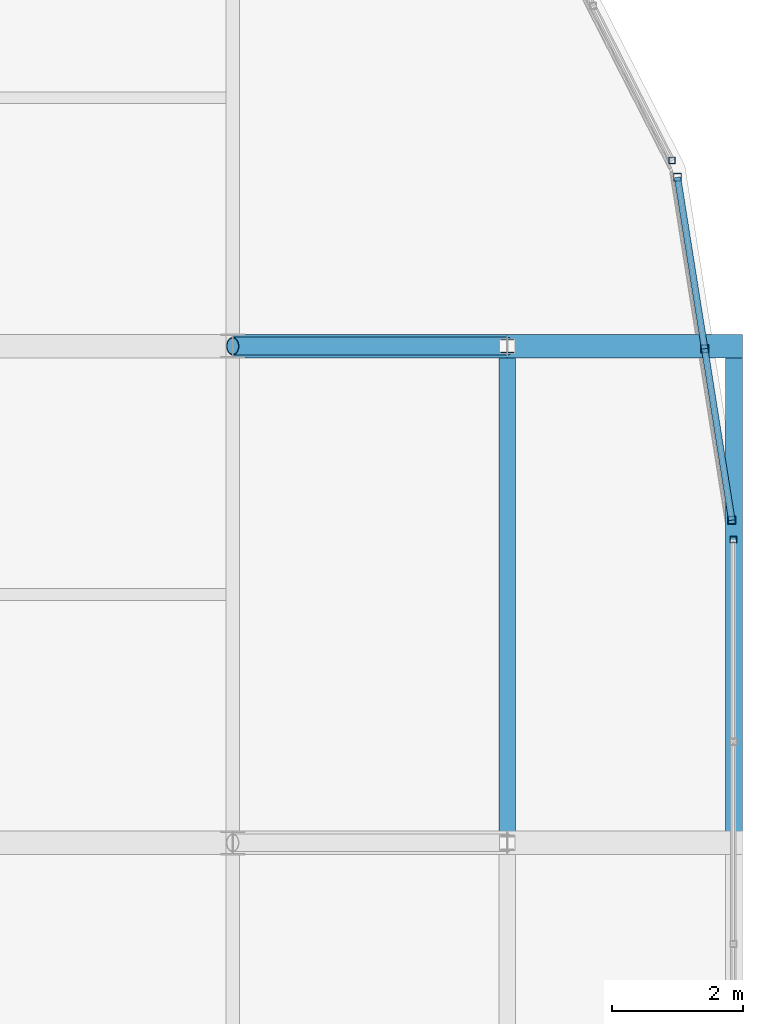
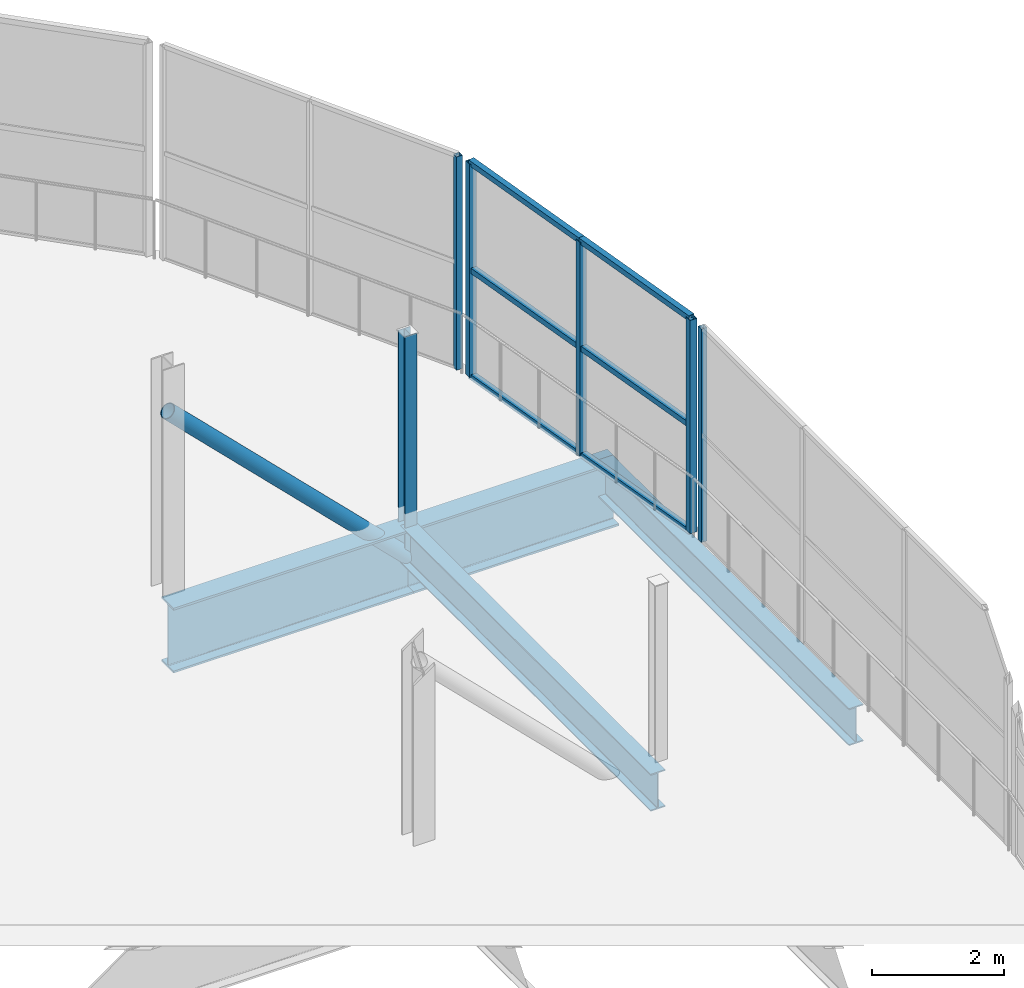
# One storey, part 162 of 217: 13 members, 4 beams, 3 elements without a shape of their own.
"""IFC4 building model written with IfcOpenShell, lengths in metres."""

from ifc_helpers import new_model, si_unit, direction, frame, origin, origin_2d, place, context, subcontext, project, spatial, hollow_rectangle, hollow_circle, i_section, extrude, material, material_profile, profile_set, type_object, element, aggregate, save


model = new_model("IFC4")

# Units and contexts
model_context = context("Model", 3, precision=1e-05, world=origin(), true_north=direction((0.0, 1.0)))
body_context = subcontext(model_context, "Body", "Model", "MODEL_VIEW")
ifc_project = project(units=[si_unit("LENGTHUNIT", "METRE"), si_unit("AREAUNIT", "SQUARE_METRE"), si_unit("VOLUMEUNIT", "CUBIC_METRE"), si_unit("PLANEANGLEUNIT", "RADIAN"), si_unit("MASSUNIT", "GRAM", prefix="KILO")], contexts=[model_context])

# Site, building, storey
site_placement = place(None, origin())
site = spatial("IfcSite", under=ifc_project, at=site_placement, CompositionType="ELEMENT")
building_placement = place(site_placement, origin())
building = spatial("IfcBuilding", under=site, at=building_placement, Name="Zuvorla Pavilion Media Centre", CompositionType="ELEMENT")
storey_placement = place(building_placement, frame((0.0, 0.0, 9.60009765625)))
storey = spatial("IfcBuildingStorey", under=building, at=storey_placement, Name="L02", CompositionType="ELEMENT", Elevation=9.60009765625)

# Beams
ifc_material_1 = material(Name="Steel S355", Category="steel")
ifc_material_profile_1 = material_profile(ifc_material_1, i_section(OverallWidth=0.360107421875, OverallDepth=1.199951171875, WebThickness=0.02001953125, FlangeThickness=0.0380859375, FilletRadius=0.02392578125, at=origin_2d()), Name="PG 1200x360x38")
ifc_profile_set_1 = profile_set([ifc_material_profile_1], Name="Steel S355")
beam_type_1 = type_object("IfcBeamType", Name="BM-PG1200", PredefinedType="BEAM", material=ifc_profile_set_1)
beam_1_placement = place(storey_placement, frame((167.60009765625, 74.39990234375, -0.8681640625), z_axis=(1.0, 0.0, 0.0), x_axis=(0.0, 1.0, 0.0)))
element("IfcBeam", 1, at=beam_1_placement, inside=storey, type_object=beam_type_1, Name="L02 beam B01 1681", PredefinedType="BEAM", context=body_context, shape_type="SweptSolid", body=[
    extrude(i_section(OverallWidth=0.360107421875, OverallDepth=1.199951171875, WebThickness=0.02001953125, FlangeThickness=0.0380859375, FilletRadius=0.02392578125, at=origin_2d()), origin(), (0.0, 0.0, 1.0), 4.199951171875),
])
beam_2_placement = place(storey_placement, frame((171.800048828125, 74.39990234375, -0.8681640625), z_axis=(1.0, 0.0, 0.0), x_axis=(0.0, 1.0, 0.0)))
element("IfcBeam", 2, at=beam_2_placement, inside=storey, type_object=beam_type_1, Name="L02 beam B01 1682", PredefinedType="BEAM", context=body_context, shape_type="SweptSolid", body=[
    extrude(i_section(OverallWidth=0.360107421875, OverallDepth=1.199951171875, WebThickness=0.02001953125, FlangeThickness=0.0380859375, FilletRadius=0.02392578125, at=origin_2d()), origin(), (0.0, 0.0, 1.0), 3.599853515625),
])
ifc_material_profile_2 = material_profile(ifc_material_1, i_section(OverallWidth=0.25439453125, OverallDepth=0.6875, WebThickness=0.01318359375, FlangeThickness=0.02099609375, FilletRadius=0.01513671875, at=origin_2d()), Name="UB 686x254x152")
ifc_profile_set_2 = profile_set([ifc_material_profile_2], Name="Steel S355")
beam_type_2 = type_object("IfcBeamType", Name="BM-UB686", PredefinedType="BEAM", material=ifc_profile_set_2)
for number, where, z_axis, x_axis, name in (
    (3, (171.800048828125, 66.800048828125, -0.61181640625), (0.0, 1.0, 0.0), (-1.0, 0.0, 0.0), "L02 beam B06 1688"),
    (4, (175.27001953125, 66.800048828125, -0.61181640625), (0.0, 1.0, 0.0), (-1.0, 0.0, 0.0), "L02 beam B06 1690"),
):
    element("IfcBeam", number, at=place(storey_placement, frame(where, z_axis=z_axis, x_axis=x_axis)), inside=storey, type_object=beam_type_2, Name=name, PredefinedType="BEAM", context=body_context, shape_type="SweptSolid", body=[
        extrude(i_section(OverallWidth=0.25439453125, OverallDepth=0.6875, WebThickness=0.01318359375, FlangeThickness=0.02099609375, FilletRadius=0.01513671875, at=origin_2d()), origin(), (0.0, 0.0, 1.0), 7.599853515625),
    ])

# Curtain wall, member
ifc_material_2 = material(Name="Unitised anodised aluminium and solar glass curtain wall", Category="aluminium")
curtain_wall_type_1 = type_object("IfcCurtainWallType", Name="CW-SYS-05", PredefinedType="USERDEFINED", material=ifc_material_2)
curtain_wall_1_placement = place(storey_placement, origin())
curtain_wall_1 = element("IfcCurtainWall", 5, at=curtain_wall_1_placement, inside=storey, type_object=curtain_wall_type_1, Name="L02 curtain wall CW05 6", ObjectType="CURTAIN WALL", PredefinedType="USERDEFINED")
ifc_material_3 = material(Name="Anodised aluminium 6063-T6", Category="aluminium")
ifc_material_profile_3 = material_profile(ifc_material_3, hollow_rectangle(XDim=0.10009765625, YDim=0.10009765625, WallThickness=0.00439453125, at=origin_2d()), Name="ALU MULL 100x100")
ifc_profile_set_3 = profile_set([ifc_material_profile_3], Name="Anodised aluminium 6063-T6")
member_type_1 = type_object("IfcMemberType", Name="CW-MULL-100", PredefinedType="MULLION", material=ifc_profile_set_3)
member_1_placement = place(storey_placement, frame((175.260009765625, 71.43994140625, 0.0), z_axis=(0.0, 0.0, 1.0), x_axis=(1.0, 0.0, 0.0)))
member_1 = element("IfcMember", 6, at=member_1_placement, type_object=member_type_1, Name="CW05 mullion 4", PredefinedType="MULLION", context=body_context, shape_type="SweptSolid", body=[
    extrude(hollow_rectangle(XDim=0.10009765625, YDim=0.10009765625, WallThickness=0.00439453125, at=origin_2d()), origin(), (0.0, 0.0, 1.0), 3.949951171875),
])
aggregate(curtain_wall_1, [member_1])

curtain_wall_type_2 = type_object("IfcCurtainWallType", Name="CW-SYS-02", PredefinedType="USERDEFINED", material=ifc_material_2)
curtain_wall_2_placement = place(storey_placement, origin())
curtain_wall_2 = element("IfcCurtainWall", 7, at=curtain_wall_2_placement, inside=storey, type_object=curtain_wall_type_2, Name="L02 curtain wall CW02 8", ObjectType="CURTAIN WALL", PredefinedType="USERDEFINED")
member_2_placement = place(storey_placement, frame((174.321533203125, 77.2412109375, 0.0), z_axis=(0.0, 0.0, 1.0), x_axis=(1.0, 0.0, 0.0)))
member_2 = element("IfcMember", 8, at=member_2_placement, type_object=member_type_1, Name="CW02 mullion 1", PredefinedType="MULLION", context=body_context, shape_type="SweptSolid", body=[
    extrude(hollow_rectangle(XDim=0.10009765625, YDim=0.10009765625, WallThickness=0.00439453125, at=origin_2d()), origin(), (0.0, 0.0, 1.0), 3.949951171875),
])
aggregate(curtain_wall_2, [member_2])

# Curtain wall, members
curtain_wall_type_3 = type_object("IfcCurtainWallType", Name="CW-SYS-04", PredefinedType="USERDEFINED", material=ifc_material_2)
curtain_wall_3_placement = place(storey_placement, origin())
curtain_wall_3 = element("IfcCurtainWall", 9, at=curtain_wall_3_placement, inside=storey, type_object=curtain_wall_type_3, Name="L02 curtain wall CW04 7", ObjectType="CURTAIN WALL", PredefinedType="USERDEFINED")
ifc_material_profile_4 = material_profile(ifc_material_3, hollow_rectangle(XDim=0.1201171875, YDim=0.1201171875, WallThickness=0.0048828125, at=origin_2d()), Name="ALU MULL 120x120")
ifc_profile_set_4 = profile_set([ifc_material_profile_4], Name="Anodised aluminium 6063-T6")
member_type_2 = type_object("IfcMemberType", Name="CW-MULL-120", PredefinedType="MULLION", material=ifc_profile_set_4)
member_3_placement = place(storey_placement, frame((175.23681640625, 71.736083984375, 0.0), z_axis=(0.0, 0.0, 1.0), x_axis=(1.0, 0.0, 0.0)))
member_3 = element("IfcMember", 10, at=member_3_placement, type_object=member_type_2, Name="CW04 mullion 1", PredefinedType="MULLION", context=body_context, shape_type="SweptSolid", body=[
    extrude(hollow_rectangle(XDim=0.1201171875, YDim=0.1201171875, WallThickness=0.0048828125, at=origin_2d()), origin(), (0.0, 0.0, 1.0), 3.949951171875),
])
member_4_placement = place(storey_placement, frame((174.8212890625, 74.359130859375, 0.0), z_axis=(0.0, 0.0, 1.0), x_axis=(1.0, 0.0, 0.0)))
member_4 = element("IfcMember", 11, at=member_4_placement, type_object=member_type_2, Name="CW04 mullion 2", PredefinedType="MULLION", context=body_context, shape_type="SweptSolid", body=[
    extrude(hollow_rectangle(XDim=0.1201171875, YDim=0.1201171875, WallThickness=0.0048828125, at=origin_2d()), origin(), (0.0, 0.0, 1.0), 3.949951171875),
])
member_5_placement = place(storey_placement, frame((174.40576171875, 76.982421875, 0.0), z_axis=(0.0, 0.0, 1.0), x_axis=(1.0, 0.0, 0.0)))
member_5 = element("IfcMember", 12, at=member_5_placement, type_object=member_type_2, Name="CW04 mullion 3", PredefinedType="MULLION", context=body_context, shape_type="SweptSolid", body=[
    extrude(hollow_rectangle(XDim=0.1201171875, YDim=0.1201171875, WallThickness=0.0048828125, at=origin_2d()), origin(), (0.0, 0.0, 1.0), 3.949951171875),
])
ifc_material_profile_5 = material_profile(ifc_material_3, hollow_rectangle(XDim=0.10009765625, YDim=0.10009765625, WallThickness=0.00439453125, at=origin_2d()), Name="ALU TRAN 100x100")
ifc_profile_set_5 = profile_set([ifc_material_profile_5], Name="Anodised aluminium 6063-T6")
member_type_3 = type_object("IfcMemberType", Name="CW-TRAN-100", PredefinedType="USERDEFINED", material=ifc_profile_set_5)
member_6_placement = place(storey_placement, frame((175.23681640625, 71.736083984375, 0.0), z_axis=(-0.156462944686, 0.987683829441, 0.0), x_axis=(-0.987683829441, -0.156462944686, 0.0)))
member_6 = element("IfcMember", 13, at=member_6_placement, type_object=member_type_3, Name="CW04 transom 1.1", ObjectType="TRANSOM", PredefinedType="USERDEFINED", context=body_context, shape_type="SweptSolid", body=[
    extrude(hollow_rectangle(XDim=0.10009765625, YDim=0.10009765625, WallThickness=0.00439453125, at=origin_2d()), origin(), (0.0, 0.0, 1.0), 2.65576171875),
])
member_7_placement = place(storey_placement, frame((175.23681640625, 71.736083984375, 1.974853515625), z_axis=(-0.156462944686, 0.987683829441, 0.0), x_axis=(-0.987683829441, -0.156462944686, 0.0)))
member_7 = element("IfcMember", 14, at=member_7_placement, type_object=member_type_3, Name="CW04 transom 1.2", ObjectType="TRANSOM", PredefinedType="USERDEFINED", context=body_context, shape_type="SweptSolid", body=[
    extrude(hollow_rectangle(XDim=0.10009765625, YDim=0.10009765625, WallThickness=0.00439453125, at=origin_2d()), origin(), (0.0, 0.0, 1.0), 2.65576171875),
])
member_8_placement = place(storey_placement, frame((175.23681640625, 71.736083984375, 3.949951171875), z_axis=(-0.156462944686, 0.987683829441, 0.0), x_axis=(-0.987683829441, -0.156462944686, 0.0)))
member_8 = element("IfcMember", 15, at=member_8_placement, type_object=member_type_3, Name="CW04 transom 1.3", ObjectType="TRANSOM", PredefinedType="USERDEFINED", context=body_context, shape_type="SweptSolid", body=[
    extrude(hollow_rectangle(XDim=0.10009765625, YDim=0.10009765625, WallThickness=0.00439453125, at=origin_2d()), origin(), (0.0, 0.0, 1.0), 2.65576171875),
])
member_9_placement = place(storey_placement, frame((174.8212890625, 74.359130859375, 0.0), z_axis=(-0.156448739647, 0.987686079614, 0.0), x_axis=(-0.987686079614, -0.156448739647, 0.0)))
member_9 = element("IfcMember", 16, at=member_9_placement, type_object=member_type_3, Name="CW04 transom 2.1", ObjectType="TRANSOM", PredefinedType="USERDEFINED", context=body_context, shape_type="SweptSolid", body=[
    extrude(hollow_rectangle(XDim=0.10009765625, YDim=0.10009765625, WallThickness=0.00439453125, at=origin_2d()), origin(), (0.0, 0.0, 1.0), 2.656005859375),
])
member_10_placement = place(storey_placement, frame((174.8212890625, 74.359130859375, 1.974853515625), z_axis=(-0.156448739647, 0.987686079614, 0.0), x_axis=(-0.987686079614, -0.156448739647, 0.0)))
member_10 = element("IfcMember", 17, at=member_10_placement, type_object=member_type_3, Name="CW04 transom 2.2", ObjectType="TRANSOM", PredefinedType="USERDEFINED", context=body_context, shape_type="SweptSolid", body=[
    extrude(hollow_rectangle(XDim=0.10009765625, YDim=0.10009765625, WallThickness=0.00439453125, at=origin_2d()), origin(), (0.0, 0.0, 1.0), 2.656005859375),
])
member_11_placement = place(storey_placement, frame((174.8212890625, 74.359130859375, 3.949951171875), z_axis=(-0.156448739647, 0.987686079614, 0.0), x_axis=(-0.987686079614, -0.156448739647, 0.0)))
member_11 = element("IfcMember", 18, at=member_11_placement, type_object=member_type_3, Name="CW04 transom 2.3", ObjectType="TRANSOM", PredefinedType="USERDEFINED", context=body_context, shape_type="SweptSolid", body=[
    extrude(hollow_rectangle(XDim=0.10009765625, YDim=0.10009765625, WallThickness=0.00439453125, at=origin_2d()), origin(), (0.0, 0.0, 1.0), 2.656005859375),
])
aggregate(curtain_wall_3, [member_3, member_4, member_5, member_6, member_7, member_8, member_9, member_10, member_11])

# Members
ifc_material_profile_6 = material_profile(ifc_material_1, hollow_circle(Radius=0.136474609375, WallThickness=0.012451171875, at=origin_2d()), Name="CHS 273x12.5")
ifc_profile_set_6 = profile_set([ifc_material_profile_6], Name="Steel S355")
member_type_4 = type_object("IfcMemberType", Name="MEM-BRC-CHS273", PredefinedType="BRACE", material=ifc_profile_set_6)
member_12_placement = place(storey_placement, frame((167.60009765625, 74.39990234375, 3.27978515625), z_axis=(0.711332384643, 0.0, -0.702855773654), x_axis=(0.0, 1.0, 0.0)))
element("IfcMember", 19, at=member_12_placement, inside=storey, type_object=member_type_4, Name="L02 diagonal brace TB01 11", PredefinedType="BRACE", context=body_context, shape_type="SweptSolid", body=[
    extrude(hollow_circle(Radius=0.136474609375, WallThickness=0.012451171875, at=origin_2d()), origin(), (0.0, 0.0, 1.0), 5.904296875),
])
ifc_material_profile_7 = material_profile(ifc_material_1, i_section(OverallWidth=0.205810546875, OverallDepth=0.209716796875, WebThickness=0.009521484375, FlangeThickness=0.01416015625, FilletRadius=0.01025390625, at=origin_2d()), Name="UC 203x203x60")
ifc_profile_set_7 = profile_set([ifc_material_profile_7], Name="Steel S355")
member_type_5 = type_object("IfcMemberType", Name="MEM-STR-UC203", PredefinedType="STRUT", material=ifc_profile_set_7)
member_13_placement = place(storey_placement, frame((171.800048828125, 74.39990234375, -0.8701171875), z_axis=(0.0, 0.0, 1.0), x_axis=(1.0, 0.0, 0.0)))
element("IfcMember", 20, at=member_13_placement, inside=storey, type_object=member_type_5, Name="L02 vertical strut TS02 12", PredefinedType="STRUT", context=body_context, shape_type="SweptSolid", body=[
    extrude(i_section(OverallWidth=0.205810546875, OverallDepth=0.209716796875, WebThickness=0.009521484375, FlangeThickness=0.01416015625, FilletRadius=0.01025390625, at=origin_2d()), origin(), (0.0, 0.0, 1.0), 4.14990234375),
])

save(model, "model.ifc")
